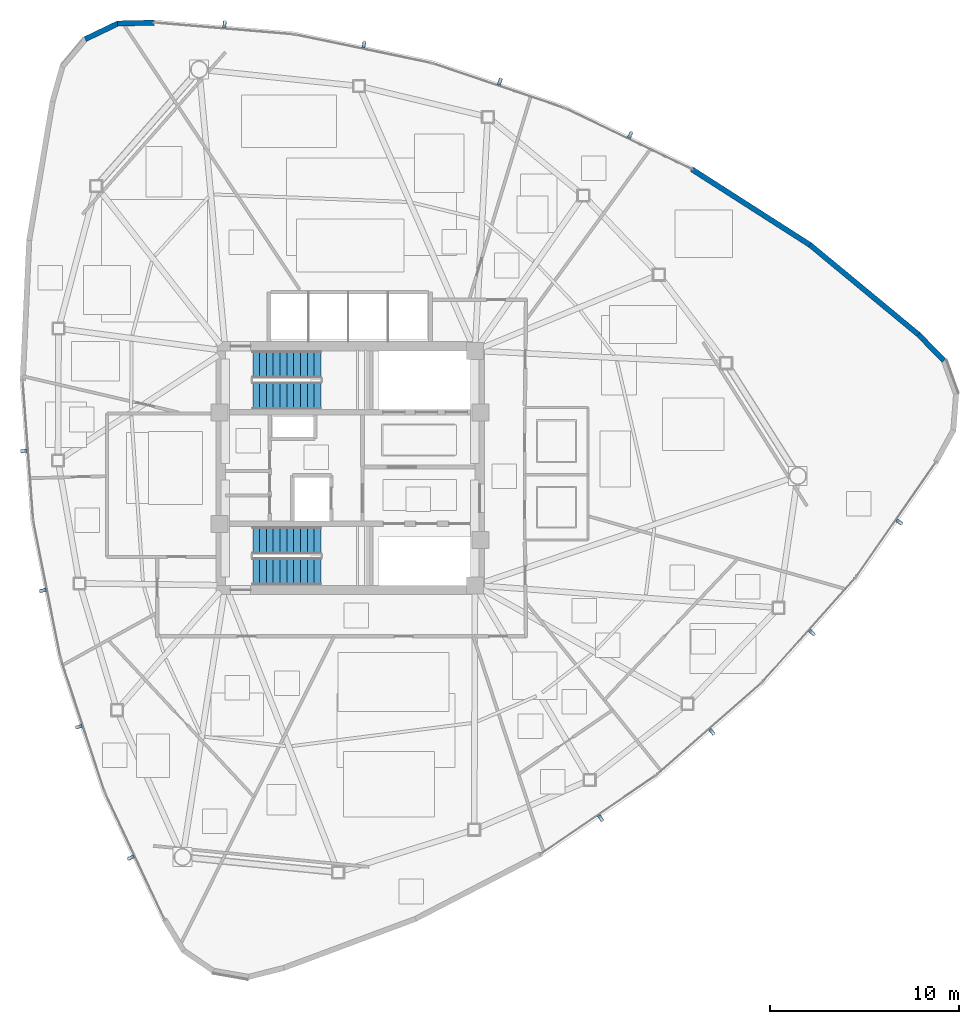
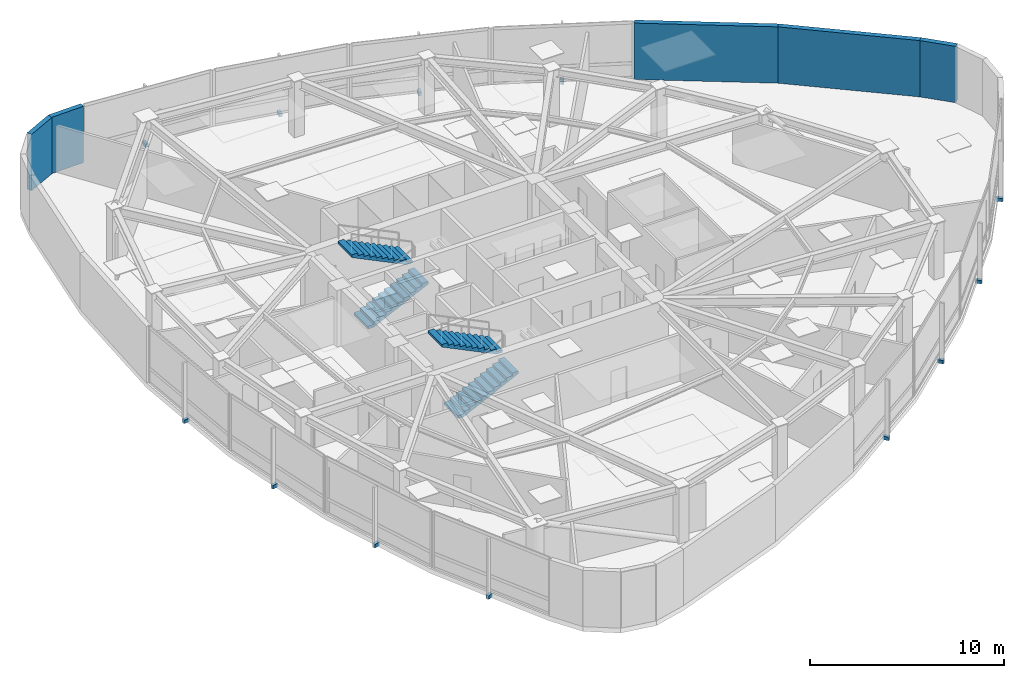
# One storey, part 13 of 17: 12 discrete accessories, 5 walls, 4 stair flights, 2 elements without a shape of their own.
"""IFC4 building model written with IfcOpenShell, lengths in metres."""

from ifc_helpers import new_model, si_unit, direction, frame, frame_2d, origin, origin_2d, place, context, subcontext, project, spatial, polyline, rectangle, outline, extrude, source, transform, mapped, material, layer, layer_set, type_object, type_shapes, element, aggregate, save


model = new_model("IFC4")

# Units and contexts
model_context = context("Model", 3, precision=1e-05, world=origin(), true_north=direction((0.0, 1.0)))
body_context = subcontext(model_context, "Body", "Model", "MODEL_VIEW")
ifc_project = project(units=[si_unit("LENGTHUNIT", "METRE"), si_unit("AREAUNIT", "SQUARE_METRE"), si_unit("VOLUMEUNIT", "CUBIC_METRE"), si_unit("PLANEANGLEUNIT", "RADIAN"), si_unit("MASSUNIT", "GRAM", prefix="KILO")], contexts=[model_context])

# Site, building, storey
site_placement = place(None, origin())
site = spatial("IfcSite", under=ifc_project, at=site_placement, CompositionType="ELEMENT")
building_placement = place(site_placement, origin())
building = spatial("IfcBuilding", under=site, at=building_placement, Name="Tavelor Broadcast Tower", CompositionType="ELEMENT")
storey_placement = place(building_placement, frame((0.0, 0.0, 192.60009765625)))
storey = spatial("IfcBuildingStorey", under=building, at=storey_placement, Name="L46", CompositionType="ELEMENT", Elevation=192.60009765625)

# Walls
ifc_material_1 = material(Name="Precast Concrete C40/50", Category="concrete")
ifc_layer = layer(ifc_material_1, 0.280029296875)
ifc_layer_set = layer_set([ifc_layer], Name="Precast Concrete C40/50")
wall_type = type_object("IfcWallType", Name="Insulated Precast Terracotta Facade Wall 280 mm", PredefinedType="STANDARD", material=ifc_layer_set)
wall_1_placement = place(storey_placement, frame((39.63427734375, 68.557373046875, 0.0), z_axis=(0.0, 0.0, 1.0), x_axis=(-0.999722915062, -0.023539182211, 0.0)))
element("IfcWall", 1, at=wall_1_placement, inside=storey, type_object=wall_type, Name="L46 Rounded Corner Structural Cladding Pier 01", PredefinedType="STANDARD", context=body_context, shape_type="SweptSolid", body=[
    extrude(rectangle(XDim=1.939453125, YDim=0.280029296875, at=frame_2d((0.9697265625, 0.0))), origin(), (0.0, 0.0, 1.0), 3.5498046875),
])
wall_2_placement = place(storey_placement, frame((37.723876953125, 68.5185546875, 0.0), z_axis=(0.0, 0.0, 1.0), x_axis=(-0.901455854177, -0.432871046583, 0.0)))
element("IfcWall", 2, at=wall_2_placement, inside=storey, type_object=wall_type, Name="L46 Rounded Corner Structural Cladding Pier 02", PredefinedType="STANDARD", context=body_context, shape_type="SweptSolid", body=[
    extrude(rectangle(XDim=1.927734375, YDim=0.280029296875, at=frame_2d((0.9638671875, 0.0))), origin(), (0.0, 0.0, 1.0), 3.5498046875),
])
wall_3_placement = place(storey_placement, frame((81.413818359375, 50.670654296875, 0.0), z_axis=(0.0, 0.0, 1.0), x_axis=(-0.697910822725, 0.716184671383, 0.0)))
element("IfcWall", 3, at=wall_3_placement, inside=storey, type_object=wall_type, Name="L46 Rounded Corner Structural Cladding Pier 24", PredefinedType="STANDARD", context=body_context, shape_type="SweptSolid", body=[
    extrude(rectangle(XDim=1.95068359375, YDim=0.280029296875, at=frame_2d((0.975341796875, 0.0))), origin(), (0.0, 0.0, 1.0), 3.5498046875),
])
wall_4_placement = place(storey_placement, frame((80.07470703125, 52.04736328125, 0.0), z_axis=(0.0, 0.0, 1.0), x_axis=(-0.77076629299, 0.637117980904, 0.0)))
element("IfcWall", 4, at=wall_4_placement, inside=storey, type_object=wall_type, Name="L46 Rounded Corner Structural Cladding Pier 25", PredefinedType="STANDARD", context=body_context, shape_type="SweptSolid", body=[
    extrude(rectangle(XDim=7.4677734375, YDim=0.280029296875, at=frame_2d((3.73388671875, 0.0))), origin(), (0.0, 0.0, 1.0), 3.5498046875),
])
wall_5_placement = place(storey_placement, frame((74.343017578125, 56.78759765625, 0.0), z_axis=(0.0, 0.0, 1.0), x_axis=(-0.842223821086, 0.539128032285, 0.0)))
element("IfcWall", 5, at=wall_5_placement, inside=storey, type_object=wall_type, Name="L46 Rounded Corner Structural Cladding Pier 26", PredefinedType="STANDARD", context=body_context, shape_type="SweptSolid", body=[
    extrude(rectangle(XDim=7.45556640625, YDim=0.280029296875, at=frame_2d((3.727783203125, 0.0))), origin(), (0.0, 0.0, 1.0), 3.5498046875),
])

# Stair, stair flights
ifc_material_2 = material(Name="Concrete C40/50", Category="concrete")
stair_type = type_object("IfcStairType", Name="Reinforced Concrete Protected Dogleg Stair 1450 mm", PredefinedType="HALF_TURN_STAIR", material=ifc_material_2)
stair_1_placement = place(storey_placement, origin())
stair_1 = element("IfcStair", 6, at=stair_1_placement, inside=storey, type_object=stair_type, Name="L46 Protected Core Exit Stair ST1", PredefinedType="HALF_TURN_STAIR")
stair_flight_type = type_object("IfcStairFlightType", Name="Reinforced Concrete Stair Flight 1450 mm", PredefinedType="STRAIGHT", material=ifc_material_2)
stair_flight_1_placement = place(storey_placement, frame((44.85009765625, 48.824951171875, 0.0), z_axis=(0.0, 0.0, 1.0), x_axis=(1.0, 0.0, 0.0)))
stair_flight_1 = element("IfcStairFlight", 7, at=stair_flight_1_placement, type_object=stair_flight_type, Name="ST1 flight 1", NumberOfRisers=11, NumberOfTreads=10, PredefinedType="STRAIGHT", RiserHeight=0.175, TreadLength=0.36, context=body_context, shape_type="SweptSolid", body=[
    extrude(outline(polyline([(0.0, 0.0), (0.0, 0.175048828125), (0.360107421875, 0.175048828125), (0.360107421875, 0.35009765625), (0.719970703125, 0.35009765625), (0.719970703125, 0.52490234375), (1.080078125, 0.52490234375), (1.080078125, 0.699951171875), (1.43994140625, 0.699951171875), (1.43994140625, 0.875), (1.800048828125, 0.875), (1.800048828125, 1.050048828125), (2.159912109375, 1.050048828125), (2.159912109375, 1.22509765625), (2.52001953125, 1.22509765625), (2.52001953125, 1.39990234375), (2.8798828125, 1.39990234375), (2.8798828125, 1.574951171875), (3.239990234375, 1.574951171875), (3.239990234375, 1.75), (3.60009765625, 1.75), (3.60009765625, 1.925048828125), (3.60009765625, 1.583251953125), (0.3427734375, 0.0), (0.0, 0.0)])), frame((0.0, 0.72509765625, 0.0), z_axis=(0.0, -1.0, 0.0), x_axis=(1.0, 0.0, 0.0)), (0.0, 0.0, 1.0), 1.449951171875),
])
stair_flight_2_placement = place(storey_placement, frame((48.449951171875, 50.47509765625, 1.9248046875), z_axis=(0.0, 0.0, 1.0), x_axis=(-1.0, 0.0, 0.0)))
stair_flight_2 = element("IfcStairFlight", 8, at=stair_flight_2_placement, type_object=stair_flight_type, Name="ST1 flight 2", NumberOfRisers=11, NumberOfTreads=10, PredefinedType="STRAIGHT", RiserHeight=0.175, TreadLength=0.36, context=body_context, shape_type="SweptSolid", body=[
    extrude(outline(polyline([(0.0, 0.0), (0.0, 0.175048828125), (0.360107421875, 0.175048828125), (0.360107421875, 0.35009765625), (0.719970703125, 0.35009765625), (0.719970703125, 0.52490234375), (1.080078125, 0.52490234375), (1.080078125, 0.699951171875), (1.43994140625, 0.699951171875), (1.43994140625, 0.875), (1.800048828125, 0.875), (1.800048828125, 1.050048828125), (2.159912109375, 1.050048828125), (2.159912109375, 1.22509765625), (2.52001953125, 1.22509765625), (2.52001953125, 1.39990234375), (2.8798828125, 1.39990234375), (2.8798828125, 1.574951171875), (3.239990234375, 1.574951171875), (3.239990234375, 1.75), (3.60009765625, 1.75), (3.60009765625, 1.925048828125), (3.60009765625, 1.583251953125), (0.3427734375, 0.0), (0.0, 0.0)])), frame((0.0, 0.72509765625, 0.0), z_axis=(0.0, -1.0, 0.0), x_axis=(1.0, 0.0, 0.0)), (0.0, 0.0, 1.0), 1.449951171875),
])
aggregate(stair_1, [stair_flight_1, stair_flight_2])

stair_2_placement = place(storey_placement, origin())
stair_2 = element("IfcStair", 9, at=stair_2_placement, inside=storey, type_object=stair_type, Name="L46 Protected Core Exit Stair ST2", PredefinedType="HALF_TURN_STAIR")
stair_flight_3_placement = place(storey_placement, frame((44.85009765625, 39.52490234375, 0.0), z_axis=(0.0, 0.0, 1.0), x_axis=(1.0, 0.0, 0.0)))
stair_flight_3 = element("IfcStairFlight", 10, at=stair_flight_3_placement, type_object=stair_flight_type, Name="ST2 flight 1", NumberOfRisers=11, NumberOfTreads=10, PredefinedType="STRAIGHT", RiserHeight=0.175, TreadLength=0.36, context=body_context, shape_type="SweptSolid", body=[
    extrude(outline(polyline([(0.0, 0.0), (0.0, 0.175048828125), (0.360107421875, 0.175048828125), (0.360107421875, 0.35009765625), (0.719970703125, 0.35009765625), (0.719970703125, 0.52490234375), (1.080078125, 0.52490234375), (1.080078125, 0.699951171875), (1.43994140625, 0.699951171875), (1.43994140625, 0.875), (1.800048828125, 0.875), (1.800048828125, 1.050048828125), (2.159912109375, 1.050048828125), (2.159912109375, 1.22509765625), (2.52001953125, 1.22509765625), (2.52001953125, 1.39990234375), (2.8798828125, 1.39990234375), (2.8798828125, 1.574951171875), (3.239990234375, 1.574951171875), (3.239990234375, 1.75), (3.60009765625, 1.75), (3.60009765625, 1.925048828125), (3.60009765625, 1.583251953125), (0.3427734375, 0.0), (0.0, 0.0)])), frame((0.0, 0.72509765625, 0.0), z_axis=(0.0, -1.0, 0.0), x_axis=(1.0, 0.0, 0.0)), (0.0, 0.0, 1.0), 1.449951171875),
])
stair_flight_4_placement = place(storey_placement, frame((48.449951171875, 41.175048828125, 1.9248046875), z_axis=(0.0, 0.0, 1.0), x_axis=(-1.0, 0.0, 0.0)))
stair_flight_4 = element("IfcStairFlight", 11, at=stair_flight_4_placement, type_object=stair_flight_type, Name="ST2 flight 2", NumberOfRisers=11, NumberOfTreads=10, PredefinedType="STRAIGHT", RiserHeight=0.175, TreadLength=0.36, context=body_context, shape_type="SweptSolid", body=[
    extrude(outline(polyline([(0.0, 0.0), (0.0, 0.175048828125), (0.360107421875, 0.175048828125), (0.360107421875, 0.35009765625), (0.719970703125, 0.35009765625), (0.719970703125, 0.52490234375), (1.080078125, 0.52490234375), (1.080078125, 0.699951171875), (1.43994140625, 0.699951171875), (1.43994140625, 0.875), (1.800048828125, 0.875), (1.800048828125, 1.050048828125), (2.159912109375, 1.050048828125), (2.159912109375, 1.22509765625), (2.52001953125, 1.22509765625), (2.52001953125, 1.39990234375), (2.8798828125, 1.39990234375), (2.8798828125, 1.574951171875), (3.239990234375, 1.574951171875), (3.239990234375, 1.75), (3.60009765625, 1.75), (3.60009765625, 1.925048828125), (3.60009765625, 1.583251953125), (0.3427734375, 0.0), (0.0, 0.0)])), frame((0.0, 0.72509765625, 0.0), z_axis=(0.0, -1.0, 0.0), x_axis=(1.0, 0.0, 0.0)), (0.0, 0.0, 1.0), 1.449951171875),
])
aggregate(stair_2, [stair_flight_3, stair_flight_4])

# Discrete accessories
ifc_material_3 = material(Name="Steel S355", Category="steel")
discrete_accessory_type = type_object("IfcDiscreteAccessoryType", Name="Stainless Baguette Outrigger Support Bracket 260x180", PredefinedType="BRACKET", material=ifc_material_3)
shared_shape = source(origin(), body_context, "Body", "SweptSolid", [
    extrude(rectangle(XDim=0.179931640625, YDim=0.340087890625, at=origin_2d()), origin(), (0.0, 0.0, 1.0), 0.216064453125),
])
type_shapes(discrete_accessory_type, [shared_shape])
for number, where, z_axis, x_axis, name in (
    (12, (32.739990234375, 45.902099609375, -0.25830078125), (0.0, 0.0, 1.0), (0.075326805528, -0.997158900261, 0.0), "L46 Baguette Outrigger Bracket 481"),
    (13, (33.7509765625, 38.521484375, -0.25830078125), (0.0, 0.0, 1.0), (0.195603833222, -0.98068299691, 0.0), "L46 Baguette Outrigger Bracket 482"),
    (14, (35.647705078125, 31.3173828125, -0.25830078125), (0.0, 0.0, 1.0), (0.312832279878, -0.949808383131, 0.0), "L46 Baguette Outrigger Bracket 483"),
    (15, (38.40234375, 24.395751953125, -0.25830078125), (0.0, 0.0, 1.0), (0.425463421407, -0.904975622348, 0.0), "L46 Baguette Outrigger Bracket 484"),
    (16, (63.248779296875, 26.4833984375, -0.25830078125), (0.0, 0.0, 1.0), (0.825901536471, 0.563814377303, 0.0), "L46 Baguette Outrigger Bracket 485"),
    (17, (69.13525390625, 31.049560546875, -0.25830078125), (0.0, 0.0, 1.0), (0.751494471773, 0.659739387103, 0.0), "L46 Baguette Outrigger Bracket 486"),
    (18, (74.42578125, 36.294189453125, -0.25830078125), (0.0, 0.0, 1.0), (0.66614204858, 0.745824893064, 0.0), "L46 Baguette Outrigger Bracket 487"),
    (19, (79.042724609375, 42.140625, -0.25830078125), (0.0, 0.0, 1.0), (0.571000168056, 0.820949942494, 0.0), "L46 Baguette Outrigger Bracket 488"),
    (20, (64.811279296875, 62.6142578125, -0.25830078125), (0.0, 0.0, 1.0), (-0.90130396116, 0.433187222339, 0.0), "L46 Baguette Outrigger Bracket 489"),
    (21, (57.913818359375, 65.42919921875, -0.25830078125), (0.0, 0.0, 1.0), (-0.947098304995, 0.320943609807, 0.0), "L46 Baguette Outrigger Bracket 490"),
    (22, (50.7265625, 67.388427734375, -0.25830078125), (0.0, 0.0, 1.0), (-0.978974328458, 0.203983490067, 0.0), "L46 Baguette Outrigger Bracket 491"),
    (23, (43.35498046875, 68.4638671875, -0.25830078125), (0.0, 0.0, 1.0), (-0.996463589463, 0.084025679855, 0.0), "L46 Baguette Outrigger Bracket 492"),
):
    element("IfcDiscreteAccessory", number, at=place(storey_placement, frame(where, z_axis=z_axis, x_axis=x_axis)), inside=storey, type_object=discrete_accessory_type, Name=name, PredefinedType="BRACKET", context=body_context, shape_type="MappedRepresentation", body=[
        mapped(shared_shape, transform((0.0, 0.0, 0.0), scale=1.0)),
    ])

save(model, "model.ifc")
